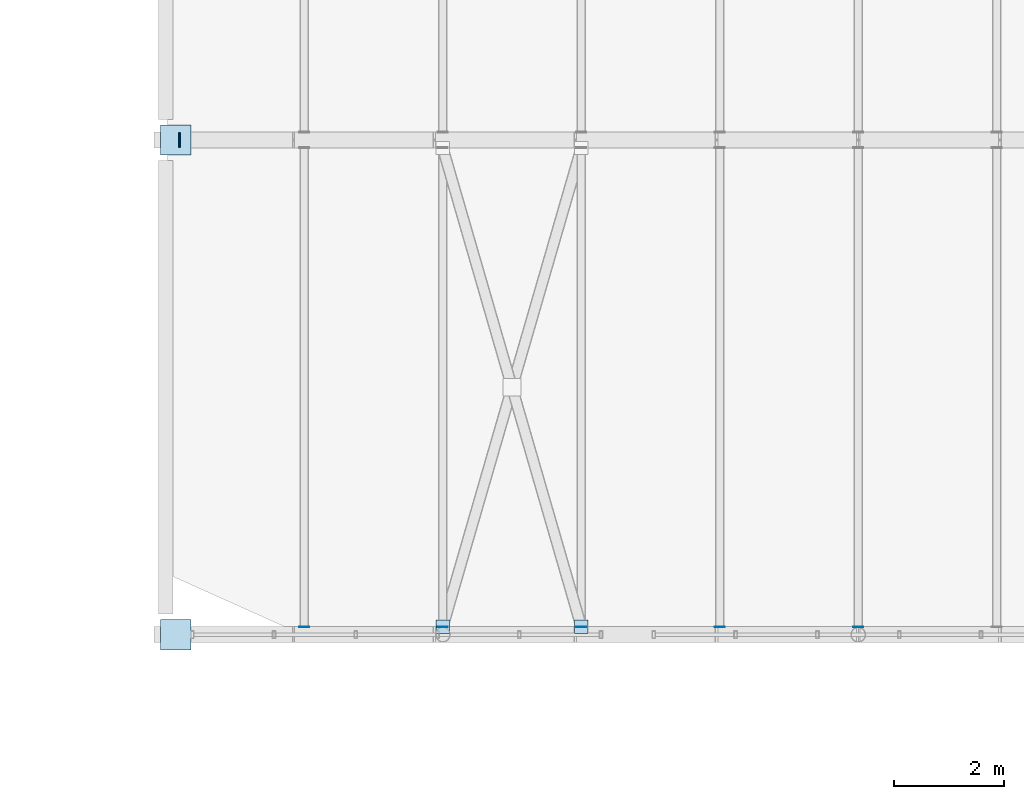
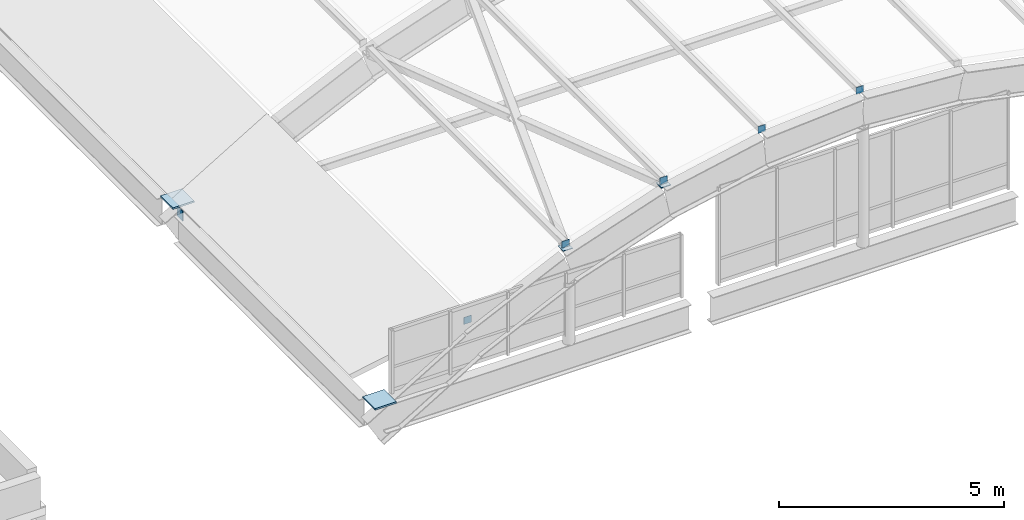
# One storey, part 83 of 107: 10 plates.
"""IFC4 building model written with IfcOpenShell, lengths in metres."""

from ifc_helpers import new_model, si_unit, direction, frame, origin, origin_2d, place, context, subcontext, project, spatial, rectangle, extrude, material, layer, layer_set, type_object, element, save


model = new_model("IFC4")

# Units and contexts
model_context = context("Model", 3, precision=1e-05, world=origin(), true_north=direction((0.0, 1.0)))
body_context = subcontext(model_context, "Body", "Model", "MODEL_VIEW")
ifc_project = project(units=[si_unit("LENGTHUNIT", "METRE"), si_unit("AREAUNIT", "SQUARE_METRE"), si_unit("VOLUMEUNIT", "CUBIC_METRE"), si_unit("PLANEANGLEUNIT", "RADIAN"), si_unit("MASSUNIT", "GRAM", prefix="KILO")], contexts=[model_context])

# Site, building, storey
site_placement = place(None, origin())
site = spatial("IfcSite", under=ifc_project, at=site_placement, CompositionType="ELEMENT")
building_placement = place(site_placement, origin())
building = spatial("IfcBuilding", under=site, at=building_placement, Name="Vireocrest Preparatory School", CompositionType="ELEMENT")
storey_placement = place(building_placement, frame((0.0, 0.0, 13.199951171875)))
storey = spatial("IfcBuildingStorey", under=building, at=storey_placement, Name="L03", CompositionType="ELEMENT", Elevation=13.199951171875)

# Plates
ifc_material = material(Name="Structural steel ASTM A572 Grade 50", Category="steel")
ifc_layer_1 = layer(ifc_material, 0.013916015625)
ifc_layer_set_1 = layer_set([ifc_layer_1], Name="Structural steel ASTM A572 Grade 50")
plate_type_1 = type_object("IfcPlateType", Name="Assembly Vault Purlin Steel End Cap Plate 14", PredefinedType="SHEET", material=ifc_layer_set_1)
for number, where, z_axis, x_axis, name in (
    (1, (145.320068359375, 18.14111328125, 1.0810546875), (0.0, 0.0, 1.0), (1.0, 0.0, 0.0), "Purlin End Cap CP3 VAULT_ASSEMBLY B1-S-2"),
    (2, (147.840087890625, 18.14111328125, 2.26171875), (0.0, 0.0, 1.0), (1.0, 0.0, 0.0), "Purlin End Cap CP3 VAULT_ASSEMBLY B1-S-3"),
    (3, (150.360107421875, 18.14111328125, 3.107666015625), (0.0, 0.0, 1.0), (1.0, 0.0, 0.0), "Purlin End Cap CP3 VAULT_ASSEMBLY B1-S-4"),
    (4, (152.8798828125, 18.14111328125, 3.619384765625), (0.0, 0.0, 1.0), (1.0, 0.0, 0.0), "Purlin End Cap CP3 VAULT_ASSEMBLY B1-S-5"),
    (5, (155.39990234375, 18.14111328125, 3.796875), (0.0, 0.0, 1.0), (1.0, 0.0, 0.0), "Purlin End Cap CP3 VAULT_ASSEMBLY B1-S-6"),
):
    element("IfcPlate", number, at=place(storey_placement, frame(where, z_axis=z_axis, x_axis=x_axis)), inside=storey, type_object=plate_type_1, Name=name, PredefinedType="SHEET", context=body_context, shape_type="SweptSolid", body=[
        extrude(rectangle(XDim=0.18798828125, YDim=0.013916015625, at=origin_2d()), origin(), (0.0, 0.0, 1.0), 0.18798828125),
    ])
ifc_layer_2 = layer(ifc_material, 0.0458984375)
ifc_layer_set_2 = layer_set([ifc_layer_2], Name="Structural steel ASTM A572 Grade 50")
plate_type_2 = type_object("IfcPlateType", Name="Barrel-Vault Springing Gusset Shoe Plate 46", PredefinedType="SHEET", material=ifc_layer_set_2)
for number, where, z_axis, x_axis, name in (
    (6, (142.97998046875, 18.0, -0.122802734375), (0.0, 0.0, 1.0), (1.0, 0.0, 0.0), "Node AS1 Vault Springing Shoe VAULT_ASSEMBLY-1W"),
    (7, (142.97998046875, 27.0, -0.122802734375), (0.0, 0.0, 1.0), (1.0, 0.0, 0.0), "Node AS1 Vault Springing Shoe VAULT_ASSEMBLY-2W"),
):
    element("IfcPlate", number, at=place(storey_placement, frame(where, z_axis=z_axis, x_axis=x_axis)), inside=storey, type_object=plate_type_2, Name=name, PredefinedType="SHEET", context=body_context, shape_type="SweptSolid", body=[
        extrude(rectangle(XDim=0.550048828125, YDim=0.550048828125, at=origin_2d()), origin(), (0.0, 0.0, 1.0), 0.0458984375),
    ])
ifc_layer_3 = layer(ifc_material, 0.02001953125)
ifc_layer_set_3 = layer_set([ifc_layer_3], Name="Structural steel ASTM A572 Grade 50")
plate_type_3 = type_object("IfcPlateType", Name="Hollow Section Steel End Cap Plate 20", PredefinedType="SHEET", material=ifc_layer_set_3)
plate_placement = place(storey_placement, frame((143.050048828125, 27.0, -0.6455078125), z_axis=(0.0, 0.0, 1.0), x_axis=(1.0, 0.0, 0.0)))
element("IfcPlate", 8, at=plate_placement, inside=storey, type_object=plate_type_3, Name="End Cap Plate CP1 VAULT_ASSEMBLY Tie 2W", PredefinedType="SHEET", context=body_context, shape_type="SweptSolid", body=[
    extrude(rectangle(XDim=0.02001953125, YDim=0.262939453125, at=origin_2d()), origin(), (0.0, 0.0, 1.0), 0.262939453125),
])
for number, where, z_axis, x_axis, name in (
    (9, (147.840087890625, 18.14599609375, 2.2509765625), (0.0, 0.0, 1.0), (1.0, 0.0, 0.0), "Brace Cap Plate CP1 VAULT_ASSEMBLY-1-3A"),
    (10, (150.360107421875, 18.14599609375, 3.087158203125), (0.0, 0.0, 1.0), (1.0, 0.0, 0.0), "Brace Cap Plate CP1 VAULT_ASSEMBLY-1-3D"),
):
    element("IfcPlate", number, at=place(storey_placement, frame(where, z_axis=z_axis, x_axis=x_axis)), inside=storey, type_object=plate_type_3, Name=name, PredefinedType="SHEET", context=body_context, shape_type="SweptSolid", body=[
        extrude(rectangle(XDim=0.239990234375, YDim=0.239990234375, at=origin_2d()), origin(), (0.0, 0.0, 1.0), 0.02001953125),
    ])

save(model, "model.ifc")
